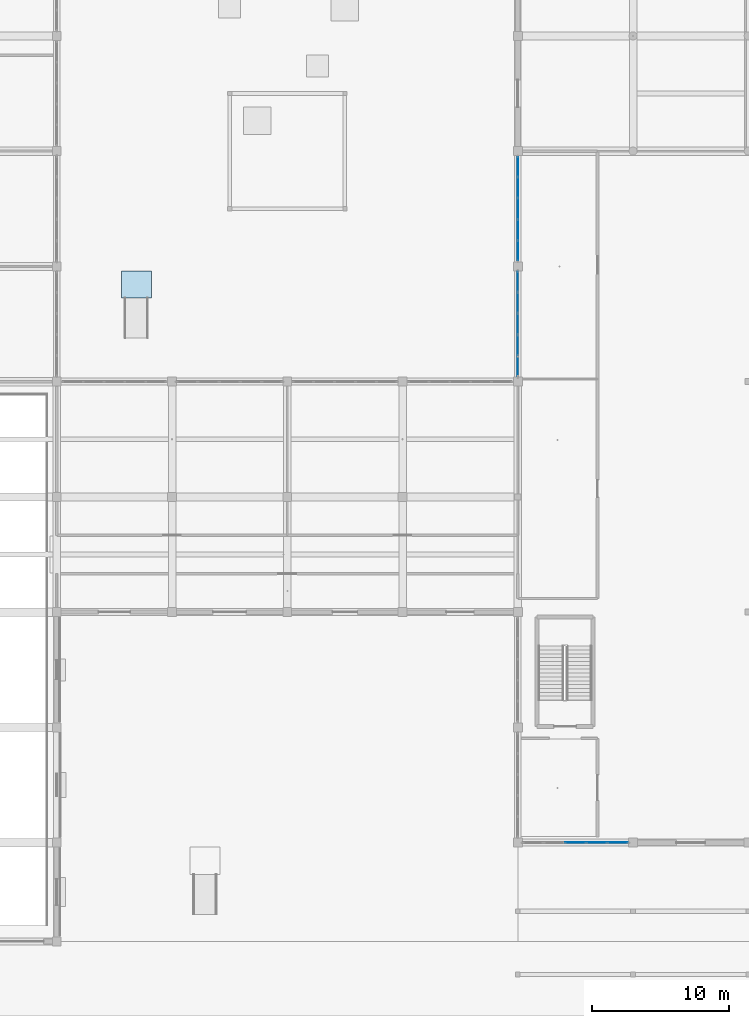
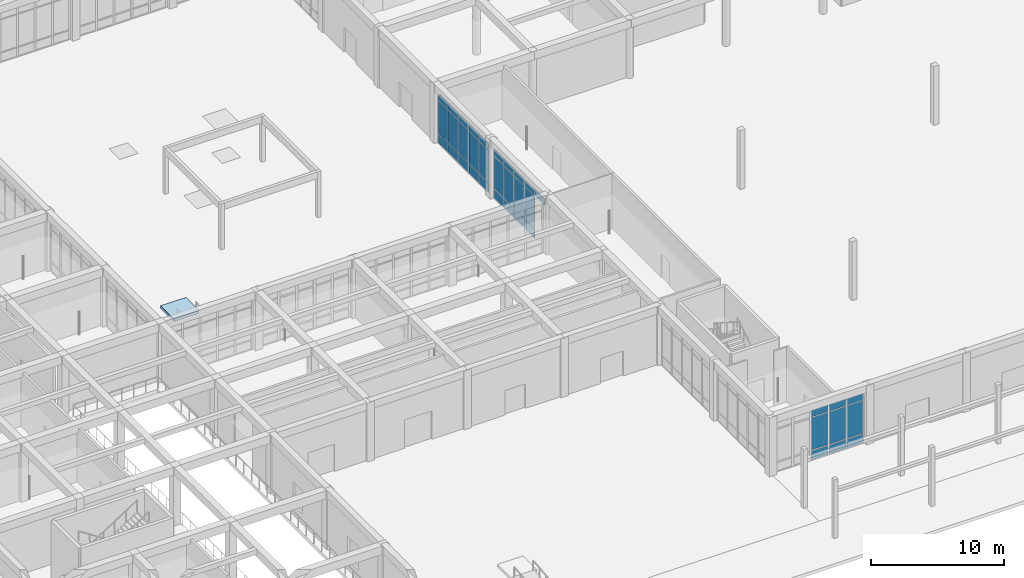
# One storey, part 47 of 167: 37 plates, 1 slab, 4 elements without a shape of their own.
"""IFC4 building model written with IfcOpenShell, lengths in metres."""

from ifc_helpers import new_model, si_unit, direction, frame, origin, origin_2d, place, context, subcontext, project, spatial, polyline, rectangle, outline, extrude, material, layer, layer_set, type_object, element, aggregate, save


model = new_model("IFC4")

# Units and contexts
model_context = context("Model", 3, precision=1e-05, world=origin(), true_north=direction((0.0, 1.0)))
body_context = subcontext(model_context, "Body", "Model", "MODEL_VIEW")
ifc_project = project(units=[si_unit("LENGTHUNIT", "METRE"), si_unit("AREAUNIT", "SQUARE_METRE"), si_unit("VOLUMEUNIT", "CUBIC_METRE"), si_unit("PLANEANGLEUNIT", "RADIAN"), si_unit("MASSUNIT", "GRAM", prefix="KILO")], contexts=[model_context])

# Site, building, storey
site_placement = place(None, origin())
site = spatial("IfcSite", under=ifc_project, at=site_placement, CompositionType="ELEMENT")
building_placement = place(site_placement, origin())
building = spatial("IfcBuilding", under=site, at=building_placement, Name="Varncliffe General Hospital", CompositionType="ELEMENT")
storey_placement = place(building_placement, origin())
storey = spatial("IfcBuildingStorey", under=building, at=storey_placement, Name="L00", CompositionType="ELEMENT", Elevation=0.0)

# Ramp, slab
ifc_material_1 = material(Name="Concrete C35/45 (CSA A23.1 35 MPa)", Category="concrete")
ramp_type = type_object("IfcRampType", Name="Barrier-Free Pedestrian Access Ramp PR23", PredefinedType="STRAIGHT_RUN_RAMP", material=ifc_material_1)
ramp_placement = place(storey_placement, origin())
ramp = element("IfcRamp", 1, at=ramp_placement, inside=storey, type_object=ramp_type, Name="West Cloister Garden Barrier-Free Ramp", PredefinedType="STRAIGHT_RUN_RAMP")
ifc_layer_1 = layer(ifc_material_1, 0.239990234375)
ifc_layer_set_1 = layer_set([ifc_layer_1], Name="Concrete C35/45 (CSA A23.1 35 MPa)")
slab_type = type_object("IfcSlabType", Name="Accessible Threshold Landing Slab PLZ32 (240mm)", PredefinedType="LANDING", material=ifc_layer_set_1)
slab_placement = place(storey_placement, origin())
slab = element("IfcSlab", 2, at=slab_placement, type_object=slab_type, Name="West Cloister Garden Barrier-Free Ramp Top Landing Plinth", PredefinedType="LANDING", context=body_context, shape_type="SweptSolid", body=[
    extrude(outline(polyline([(29.89990234375, 46.8798828125), (32.10009765625, 46.8798828125), (32.10009765625, 48.8798828125), (29.89990234375, 48.8798828125), (29.89990234375, 46.8798828125)])), origin(), (0.0, 0.0, 1.0), 0.239990234375),
])
aggregate(ramp, [slab])

# Curtain wall, plates
ifc_material_2 = material(Name="Triple low-E argon insulated vision glazing", Category="glass")
curtain_wall_type_1 = type_object("IfcCurtainWallType", Name="Unitised Glazed Curtain Wall CW15 (7674x4640)", PredefinedType="USERDEFINED", material=ifc_material_2)
curtain_wall_1_placement = place(storey_placement, origin())
curtain_wall_1 = element("IfcCurtainWall", 3, at=curtain_wall_1_placement, inside=storey, type_object=curtain_wall_type_1, Name="L00 Glazed Curtain Wall CW15-22", ObjectType="GLAZED CURTAIN WALL", PredefinedType="USERDEFINED")
ifc_layer_2 = layer(ifc_material_2, 0.035888671875)
ifc_layer_set_2 = layer_set([ifc_layer_2], Name="Triple low-E argon insulated vision glazing")
plate_type_1 = type_object("IfcPlateType", Name="Curtain Wall Glazing Panel CP27 (36mm)", PredefinedType="CURTAIN_PANEL", material=ifc_layer_set_2)
plate_1_placement = place(storey_placement, frame((58.800048828125, 50.34912109375, 0.06005859375), z_axis=(0.0, 0.0, 1.0), x_axis=(0.0, 1.0, 0.0)))
plate_1 = element("IfcPlate", 4, at=plate_1_placement, type_object=plate_type_1, Name="CW15 panel 1.1", PredefinedType="CURTAIN_PANEL", context=body_context, shape_type="SweptSolid", body=[
    extrude(rectangle(XDim=1.42236328125, YDim=0.035888671875, at=origin_2d()), origin(), (0.0, 0.0, 1.0), 0.81005859375),
])
plate_2_placement = place(storey_placement, frame((58.800048828125, 50.34912109375, 0.929931640625), z_axis=(0.0, 0.0, 1.0), x_axis=(0.0, 1.0, 0.0)))
plate_2 = element("IfcPlate", 5, at=plate_2_placement, type_object=plate_type_1, Name="CW15 panel 1.2", PredefinedType="CURTAIN_PANEL", context=body_context, shape_type="SweptSolid", body=[
    extrude(rectangle(XDim=1.42236328125, YDim=0.035888671875, at=origin_2d()), origin(), (0.0, 0.0, 1.0), 2.97998046875),
])
plate_3_placement = place(storey_placement, frame((58.800048828125, 50.34912109375, 3.9697265625), z_axis=(0.0, 0.0, 1.0), x_axis=(0.0, 1.0, 0.0)))
plate_3 = element("IfcPlate", 6, at=plate_3_placement, type_object=plate_type_1, Name="CW15 panel 1.3", PredefinedType="CURTAIN_PANEL", context=body_context, shape_type="SweptSolid", body=[
    extrude(rectangle(XDim=1.42236328125, YDim=0.035888671875, at=origin_2d()), origin(), (0.0, 0.0, 1.0), 0.610107421875),
])
plate_4_placement = place(storey_placement, frame((58.800048828125, 51.865234375, 0.06005859375), z_axis=(0.0, 0.0, 1.0), x_axis=(0.0, 1.0, 0.0)))
plate_4 = element("IfcPlate", 7, at=plate_4_placement, type_object=plate_type_1, Name="CW15 panel 2.1", PredefinedType="CURTAIN_PANEL", context=body_context, shape_type="SweptSolid", body=[
    extrude(rectangle(XDim=1.459716796875, YDim=0.035888671875, at=origin_2d()), origin(), (0.0, 0.0, 1.0), 0.81005859375),
])
plate_5_placement = place(storey_placement, frame((58.800048828125, 51.865234375, 0.929931640625), z_axis=(0.0, 0.0, 1.0), x_axis=(0.0, 1.0, 0.0)))
plate_5 = element("IfcPlate", 8, at=plate_5_placement, type_object=plate_type_1, Name="CW15 panel 2.2", PredefinedType="CURTAIN_PANEL", context=body_context, shape_type="SweptSolid", body=[
    extrude(rectangle(XDim=1.459716796875, YDim=0.035888671875, at=origin_2d()), origin(), (0.0, 0.0, 1.0), 2.97998046875),
])
plate_6_placement = place(storey_placement, frame((58.800048828125, 51.865234375, 3.9697265625), z_axis=(0.0, 0.0, 1.0), x_axis=(0.0, 1.0, 0.0)))
plate_6 = element("IfcPlate", 9, at=plate_6_placement, type_object=plate_type_1, Name="CW15 panel 2.3", PredefinedType="CURTAIN_PANEL", context=body_context, shape_type="SweptSolid", body=[
    extrude(rectangle(XDim=1.459716796875, YDim=0.035888671875, at=origin_2d()), origin(), (0.0, 0.0, 1.0), 0.610107421875),
])
plate_7_placement = place(storey_placement, frame((58.800048828125, 53.39990234375, 0.06005859375), z_axis=(0.0, 0.0, 1.0), x_axis=(0.0, 1.0, 0.0)))
plate_7 = element("IfcPlate", 10, at=plate_7_placement, type_object=plate_type_1, Name="CW15 panel 3.1", PredefinedType="CURTAIN_PANEL", context=body_context, shape_type="SweptSolid", body=[
    extrude(rectangle(XDim=1.459716796875, YDim=0.035888671875, at=origin_2d()), origin(), (0.0, 0.0, 1.0), 0.81005859375),
])
plate_8_placement = place(storey_placement, frame((58.800048828125, 53.39990234375, 0.929931640625), z_axis=(0.0, 0.0, 1.0), x_axis=(0.0, 1.0, 0.0)))
plate_8 = element("IfcPlate", 11, at=plate_8_placement, type_object=plate_type_1, Name="CW15 panel 3.2", PredefinedType="CURTAIN_PANEL", context=body_context, shape_type="SweptSolid", body=[
    extrude(rectangle(XDim=1.459716796875, YDim=0.035888671875, at=origin_2d()), origin(), (0.0, 0.0, 1.0), 2.97998046875),
])
plate_9_placement = place(storey_placement, frame((58.800048828125, 53.39990234375, 3.9697265625), z_axis=(0.0, 0.0, 1.0), x_axis=(0.0, 1.0, 0.0)))
plate_9 = element("IfcPlate", 12, at=plate_9_placement, type_object=plate_type_1, Name="CW15 panel 3.3", PredefinedType="CURTAIN_PANEL", context=body_context, shape_type="SweptSolid", body=[
    extrude(rectangle(XDim=1.459716796875, YDim=0.035888671875, at=origin_2d()), origin(), (0.0, 0.0, 1.0), 0.610107421875),
])
plate_10_placement = place(storey_placement, frame((58.800048828125, 54.934814453125, 0.06005859375), z_axis=(0.0, 0.0, 1.0), x_axis=(0.0, 1.0, 0.0)))
plate_10 = element("IfcPlate", 13, at=plate_10_placement, type_object=plate_type_1, Name="CW15 panel 4.1", PredefinedType="CURTAIN_PANEL", context=body_context, shape_type="SweptSolid", body=[
    extrude(rectangle(XDim=1.459716796875, YDim=0.035888671875, at=origin_2d()), origin(), (0.0, 0.0, 1.0), 0.81005859375),
])
plate_11_placement = place(storey_placement, frame((58.800048828125, 54.934814453125, 0.929931640625), z_axis=(0.0, 0.0, 1.0), x_axis=(0.0, 1.0, 0.0)))
plate_11 = element("IfcPlate", 14, at=plate_11_placement, type_object=plate_type_1, Name="CW15 panel 4.2", PredefinedType="CURTAIN_PANEL", context=body_context, shape_type="SweptSolid", body=[
    extrude(rectangle(XDim=1.459716796875, YDim=0.035888671875, at=origin_2d()), origin(), (0.0, 0.0, 1.0), 2.97998046875),
])
plate_12_placement = place(storey_placement, frame((58.800048828125, 54.934814453125, 3.9697265625), z_axis=(0.0, 0.0, 1.0), x_axis=(0.0, 1.0, 0.0)))
plate_12 = element("IfcPlate", 15, at=plate_12_placement, type_object=plate_type_1, Name="CW15 panel 4.3", PredefinedType="CURTAIN_PANEL", context=body_context, shape_type="SweptSolid", body=[
    extrude(rectangle(XDim=1.459716796875, YDim=0.035888671875, at=origin_2d()), origin(), (0.0, 0.0, 1.0), 0.610107421875),
])
plate_13_placement = place(storey_placement, frame((58.800048828125, 56.450927734375, 0.06005859375), z_axis=(0.0, 0.0, 1.0), x_axis=(0.0, 1.0, 0.0)))
plate_13 = element("IfcPlate", 16, at=plate_13_placement, type_object=plate_type_1, Name="CW15 panel 5.1", PredefinedType="CURTAIN_PANEL", context=body_context, shape_type="SweptSolid", body=[
    extrude(rectangle(XDim=1.42236328125, YDim=0.035888671875, at=origin_2d()), origin(), (0.0, 0.0, 1.0), 0.81005859375),
])
plate_14_placement = place(storey_placement, frame((58.800048828125, 56.450927734375, 0.929931640625), z_axis=(0.0, 0.0, 1.0), x_axis=(0.0, 1.0, 0.0)))
plate_14 = element("IfcPlate", 17, at=plate_14_placement, type_object=plate_type_1, Name="CW15 panel 5.2", PredefinedType="CURTAIN_PANEL", context=body_context, shape_type="SweptSolid", body=[
    extrude(rectangle(XDim=1.42236328125, YDim=0.035888671875, at=origin_2d()), origin(), (0.0, 0.0, 1.0), 2.97998046875),
])
plate_15_placement = place(storey_placement, frame((58.800048828125, 56.450927734375, 3.9697265625), z_axis=(0.0, 0.0, 1.0), x_axis=(0.0, 1.0, 0.0)))
plate_15 = element("IfcPlate", 18, at=plate_15_placement, type_object=plate_type_1, Name="CW15 panel 5.3", PredefinedType="CURTAIN_PANEL", context=body_context, shape_type="SweptSolid", body=[
    extrude(rectangle(XDim=1.42236328125, YDim=0.035888671875, at=origin_2d()), origin(), (0.0, 0.0, 1.0), 0.610107421875),
])
aggregate(curtain_wall_1, [plate_1, plate_2, plate_3, plate_4, plate_5, plate_6, plate_7, plate_8, plate_9, plate_10, plate_11, plate_12, plate_13, plate_14, plate_15])

curtain_wall_type_2 = type_object("IfcCurtainWallType", Name="Unitised Glazed Curtain Wall CW66 (7754x4640)", PredefinedType="USERDEFINED", material=ifc_material_2)
curtain_wall_2_placement = place(storey_placement, origin())
curtain_wall_2 = element("IfcCurtainWall", 19, at=curtain_wall_2_placement, inside=storey, type_object=curtain_wall_type_2, Name="L00 Glazed Curtain Wall CW66-9", ObjectType="GLAZED CURTAIN WALL", PredefinedType="USERDEFINED")
ifc_layer_3 = layer(ifc_material_2, 0.028076171875)
ifc_layer_set_3 = layer_set([ifc_layer_3], Name="Triple low-E argon insulated vision glazing")
plate_type_2 = type_object("IfcPlateType", Name="Curtain Wall Glazing Panel CP48 (28mm)", PredefinedType="CURTAIN_PANEL", material=ifc_layer_set_3)
plate_16_placement = place(storey_placement, frame((66.082763671875, 7.199951171875, 0.06494140625), z_axis=(0.0, 0.0, 1.0), x_axis=(-1.0, 0.0, 0.0)))
plate_16 = element("IfcPlate", 20, at=plate_16_placement, type_object=plate_type_2, Name="CW66 panel 1.1", PredefinedType="CURTAIN_PANEL", context=body_context, shape_type="SweptSolid", body=[
    extrude(rectangle(XDim=1.438232421875, YDim=0.028076171875, at=origin_2d()), origin(), (0.0, 0.0, 1.0), 0.802490234375),
])
plate_17_placement = place(storey_placement, frame((66.082763671875, 7.199951171875, 0.932373046875), z_axis=(0.0, 0.0, 1.0), x_axis=(-1.0, 0.0, 0.0)))
plate_17 = element("IfcPlate", 21, at=plate_17_placement, type_object=plate_type_2, Name="CW66 panel 1.2", PredefinedType="CURTAIN_PANEL", context=body_context, shape_type="SweptSolid", body=[
    extrude(rectangle(XDim=1.438232421875, YDim=0.028076171875, at=origin_2d()), origin(), (0.0, 0.0, 1.0), 2.97509765625),
])
plate_18_placement = place(storey_placement, frame((66.082763671875, 7.199951171875, 3.972412109375), z_axis=(0.0, 0.0, 1.0), x_axis=(-1.0, 0.0, 0.0)))
plate_18 = element("IfcPlate", 22, at=plate_18_placement, type_object=plate_type_2, Name="CW66 panel 1.3", PredefinedType="CURTAIN_PANEL", context=body_context, shape_type="SweptSolid", body=[
    extrude(rectangle(XDim=1.438232421875, YDim=0.028076171875, at=origin_2d()), origin(), (0.0, 0.0, 1.0), 0.6025390625),
])
plate_19_placement = place(storey_placement, frame((64.55078125, 7.199951171875, 0.06494140625), z_axis=(0.0, 0.0, 1.0), x_axis=(-1.0, 0.0, 0.0)))
plate_19 = element("IfcPlate", 23, at=plate_19_placement, type_object=plate_type_2, Name="CW66 panel 2.1", PredefinedType="CURTAIN_PANEL", context=body_context, shape_type="SweptSolid", body=[
    extrude(rectangle(XDim=1.475830078125, YDim=0.028076171875, at=origin_2d()), origin(), (0.0, 0.0, 1.0), 0.802490234375),
])
plate_20_placement = place(storey_placement, frame((64.55078125, 7.199951171875, 0.932373046875), z_axis=(0.0, 0.0, 1.0), x_axis=(-1.0, 0.0, 0.0)))
plate_20 = element("IfcPlate", 24, at=plate_20_placement, type_object=plate_type_2, Name="CW66 panel 2.2", PredefinedType="CURTAIN_PANEL", context=body_context, shape_type="SweptSolid", body=[
    extrude(rectangle(XDim=1.475830078125, YDim=0.028076171875, at=origin_2d()), origin(), (0.0, 0.0, 1.0), 2.97509765625),
])
plate_21_placement = place(storey_placement, frame((64.55078125, 7.199951171875, 3.972412109375), z_axis=(0.0, 0.0, 1.0), x_axis=(-1.0, 0.0, 0.0)))
plate_21 = element("IfcPlate", 25, at=plate_21_placement, type_object=plate_type_2, Name="CW66 panel 2.3", PredefinedType="CURTAIN_PANEL", context=body_context, shape_type="SweptSolid", body=[
    extrude(rectangle(XDim=1.475830078125, YDim=0.028076171875, at=origin_2d()), origin(), (0.0, 0.0, 1.0), 0.6025390625),
])
plate_22_placement = place(storey_placement, frame((63.0, 7.199951171875, 0.06494140625), z_axis=(0.0, 0.0, 1.0), x_axis=(-1.0, 0.0, 0.0)))
plate_22 = element("IfcPlate", 26, at=plate_22_placement, type_object=plate_type_2, Name="CW66 panel 3.1", PredefinedType="CURTAIN_PANEL", context=body_context, shape_type="SweptSolid", body=[
    extrude(rectangle(XDim=1.475830078125, YDim=0.028076171875, at=origin_2d()), origin(), (0.0, 0.0, 1.0), 0.802490234375),
])
plate_23_placement = place(storey_placement, frame((63.0, 7.199951171875, 0.932373046875), z_axis=(0.0, 0.0, 1.0), x_axis=(-1.0, 0.0, 0.0)))
plate_23 = element("IfcPlate", 27, at=plate_23_placement, type_object=plate_type_2, Name="CW66 panel 3.2", PredefinedType="CURTAIN_PANEL", context=body_context, shape_type="SweptSolid", body=[
    extrude(rectangle(XDim=1.475830078125, YDim=0.028076171875, at=origin_2d()), origin(), (0.0, 0.0, 1.0), 2.97509765625),
])
plate_24_placement = place(storey_placement, frame((63.0, 7.199951171875, 3.972412109375), z_axis=(0.0, 0.0, 1.0), x_axis=(-1.0, 0.0, 0.0)))
plate_24 = element("IfcPlate", 28, at=plate_24_placement, type_object=plate_type_2, Name="CW66 panel 3.3", PredefinedType="CURTAIN_PANEL", context=body_context, shape_type="SweptSolid", body=[
    extrude(rectangle(XDim=1.475830078125, YDim=0.028076171875, at=origin_2d()), origin(), (0.0, 0.0, 1.0), 0.6025390625),
])
aggregate(curtain_wall_2, [plate_16, plate_17, plate_18, plate_19, plate_20, plate_21, plate_22, plate_23, plate_24])

curtain_wall_3_placement = place(storey_placement, origin())
curtain_wall_3 = element("IfcCurtainWall", 29, at=curtain_wall_3_placement, inside=storey, type_object=curtain_wall_type_2, Name="L00 Glazed Curtain Wall CW66-21", ObjectType="GLAZED CURTAIN WALL", PredefinedType="USERDEFINED")
plate_25_placement = place(storey_placement, frame((58.800048828125, 41.917236328125, 3.972412109375), z_axis=(0.0, 0.0, 1.0), x_axis=(0.0, 1.0, 0.0)))
plate_25 = element("IfcPlate", 30, at=plate_25_placement, type_object=plate_type_2, Name="CW66 panel 1.3", PredefinedType="CURTAIN_PANEL", context=body_context, shape_type="SweptSolid", body=[
    extrude(rectangle(XDim=1.438232421875, YDim=0.028076171875, at=origin_2d()), origin(), (0.0, 0.0, 1.0), 0.6025390625),
])
plate_26_placement = place(storey_placement, frame((58.800048828125, 43.44921875, 0.06494140625), z_axis=(0.0, 0.0, 1.0), x_axis=(0.0, 1.0, 0.0)))
plate_26 = element("IfcPlate", 31, at=plate_26_placement, type_object=plate_type_2, Name="CW66 panel 2.1", PredefinedType="CURTAIN_PANEL", context=body_context, shape_type="SweptSolid", body=[
    extrude(rectangle(XDim=1.475830078125, YDim=0.028076171875, at=origin_2d()), origin(), (0.0, 0.0, 1.0), 0.802490234375),
])
plate_27_placement = place(storey_placement, frame((58.800048828125, 43.44921875, 0.932373046875), z_axis=(0.0, 0.0, 1.0), x_axis=(0.0, 1.0, 0.0)))
plate_27 = element("IfcPlate", 32, at=plate_27_placement, type_object=plate_type_2, Name="CW66 panel 2.2", PredefinedType="CURTAIN_PANEL", context=body_context, shape_type="SweptSolid", body=[
    extrude(rectangle(XDim=1.475830078125, YDim=0.028076171875, at=origin_2d()), origin(), (0.0, 0.0, 1.0), 2.97509765625),
])
plate_28_placement = place(storey_placement, frame((58.800048828125, 43.44921875, 3.972412109375), z_axis=(0.0, 0.0, 1.0), x_axis=(0.0, 1.0, 0.0)))
plate_28 = element("IfcPlate", 33, at=plate_28_placement, type_object=plate_type_2, Name="CW66 panel 2.3", PredefinedType="CURTAIN_PANEL", context=body_context, shape_type="SweptSolid", body=[
    extrude(rectangle(XDim=1.475830078125, YDim=0.028076171875, at=origin_2d()), origin(), (0.0, 0.0, 1.0), 0.6025390625),
])
plate_29_placement = place(storey_placement, frame((58.800048828125, 45.0, 0.06494140625), z_axis=(0.0, 0.0, 1.0), x_axis=(0.0, 1.0, 0.0)))
plate_29 = element("IfcPlate", 34, at=plate_29_placement, type_object=plate_type_2, Name="CW66 panel 3.1", PredefinedType="CURTAIN_PANEL", context=body_context, shape_type="SweptSolid", body=[
    extrude(rectangle(XDim=1.475830078125, YDim=0.028076171875, at=origin_2d()), origin(), (0.0, 0.0, 1.0), 0.802490234375),
])
plate_30_placement = place(storey_placement, frame((58.800048828125, 45.0, 0.932373046875), z_axis=(0.0, 0.0, 1.0), x_axis=(0.0, 1.0, 0.0)))
plate_30 = element("IfcPlate", 35, at=plate_30_placement, type_object=plate_type_2, Name="CW66 panel 3.2", PredefinedType="CURTAIN_PANEL", context=body_context, shape_type="SweptSolid", body=[
    extrude(rectangle(XDim=1.475830078125, YDim=0.028076171875, at=origin_2d()), origin(), (0.0, 0.0, 1.0), 2.97509765625),
])
plate_31_placement = place(storey_placement, frame((58.800048828125, 45.0, 3.972412109375), z_axis=(0.0, 0.0, 1.0), x_axis=(0.0, 1.0, 0.0)))
plate_31 = element("IfcPlate", 36, at=plate_31_placement, type_object=plate_type_2, Name="CW66 panel 3.3", PredefinedType="CURTAIN_PANEL", context=body_context, shape_type="SweptSolid", body=[
    extrude(rectangle(XDim=1.475830078125, YDim=0.028076171875, at=origin_2d()), origin(), (0.0, 0.0, 1.0), 0.6025390625),
])
plate_32_placement = place(storey_placement, frame((58.800048828125, 46.55078125, 0.06494140625), z_axis=(0.0, 0.0, 1.0), x_axis=(0.0, 1.0, 0.0)))
plate_32 = element("IfcPlate", 37, at=plate_32_placement, type_object=plate_type_2, Name="CW66 panel 4.1", PredefinedType="CURTAIN_PANEL", context=body_context, shape_type="SweptSolid", body=[
    extrude(rectangle(XDim=1.475830078125, YDim=0.028076171875, at=origin_2d()), origin(), (0.0, 0.0, 1.0), 0.802490234375),
])
plate_33_placement = place(storey_placement, frame((58.800048828125, 46.55078125, 0.932373046875), z_axis=(0.0, 0.0, 1.0), x_axis=(0.0, 1.0, 0.0)))
plate_33 = element("IfcPlate", 38, at=plate_33_placement, type_object=plate_type_2, Name="CW66 panel 4.2", PredefinedType="CURTAIN_PANEL", context=body_context, shape_type="SweptSolid", body=[
    extrude(rectangle(XDim=1.475830078125, YDim=0.028076171875, at=origin_2d()), origin(), (0.0, 0.0, 1.0), 2.97509765625),
])
plate_34_placement = place(storey_placement, frame((58.800048828125, 46.55078125, 3.972412109375), z_axis=(0.0, 0.0, 1.0), x_axis=(0.0, 1.0, 0.0)))
plate_34 = element("IfcPlate", 39, at=plate_34_placement, type_object=plate_type_2, Name="CW66 panel 4.3", PredefinedType="CURTAIN_PANEL", context=body_context, shape_type="SweptSolid", body=[
    extrude(rectangle(XDim=1.475830078125, YDim=0.028076171875, at=origin_2d()), origin(), (0.0, 0.0, 1.0), 0.6025390625),
])
plate_35_placement = place(storey_placement, frame((58.800048828125, 48.082763671875, 0.06494140625), z_axis=(0.0, 0.0, 1.0), x_axis=(0.0, 1.0, 0.0)))
plate_35 = element("IfcPlate", 40, at=plate_35_placement, type_object=plate_type_2, Name="CW66 panel 5.1", PredefinedType="CURTAIN_PANEL", context=body_context, shape_type="SweptSolid", body=[
    extrude(rectangle(XDim=1.438232421875, YDim=0.028076171875, at=origin_2d()), origin(), (0.0, 0.0, 1.0), 0.802490234375),
])
plate_36_placement = place(storey_placement, frame((58.800048828125, 48.082763671875, 0.932373046875), z_axis=(0.0, 0.0, 1.0), x_axis=(0.0, 1.0, 0.0)))
plate_36 = element("IfcPlate", 41, at=plate_36_placement, type_object=plate_type_2, Name="CW66 panel 5.2", PredefinedType="CURTAIN_PANEL", context=body_context, shape_type="SweptSolid", body=[
    extrude(rectangle(XDim=1.438232421875, YDim=0.028076171875, at=origin_2d()), origin(), (0.0, 0.0, 1.0), 2.97509765625),
])
plate_37_placement = place(storey_placement, frame((58.800048828125, 48.082763671875, 3.972412109375), z_axis=(0.0, 0.0, 1.0), x_axis=(0.0, 1.0, 0.0)))
plate_37 = element("IfcPlate", 42, at=plate_37_placement, type_object=plate_type_2, Name="CW66 panel 5.3", PredefinedType="CURTAIN_PANEL", context=body_context, shape_type="SweptSolid", body=[
    extrude(rectangle(XDim=1.438232421875, YDim=0.028076171875, at=origin_2d()), origin(), (0.0, 0.0, 1.0), 0.6025390625),
])
aggregate(curtain_wall_3, [plate_25, plate_26, plate_27, plate_28, plate_29, plate_30, plate_31, plate_32, plate_33, plate_34, plate_35, plate_36, plate_37])

save(model, "model.ifc")
